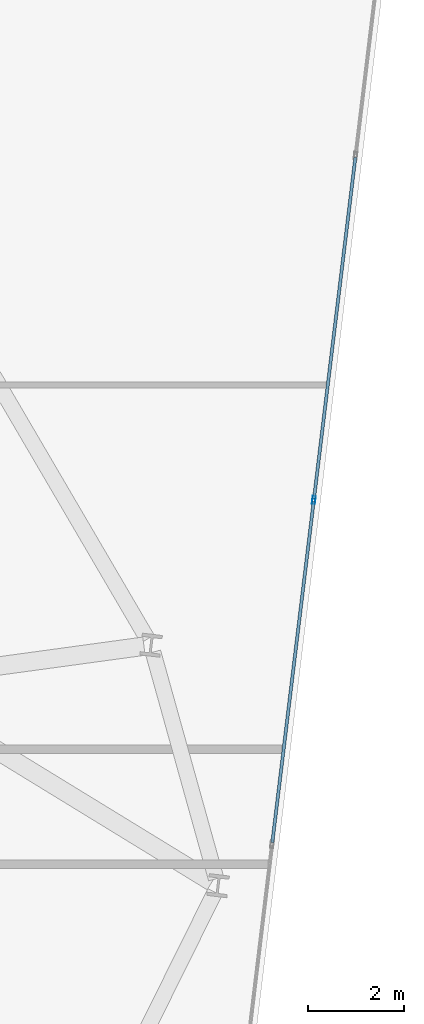
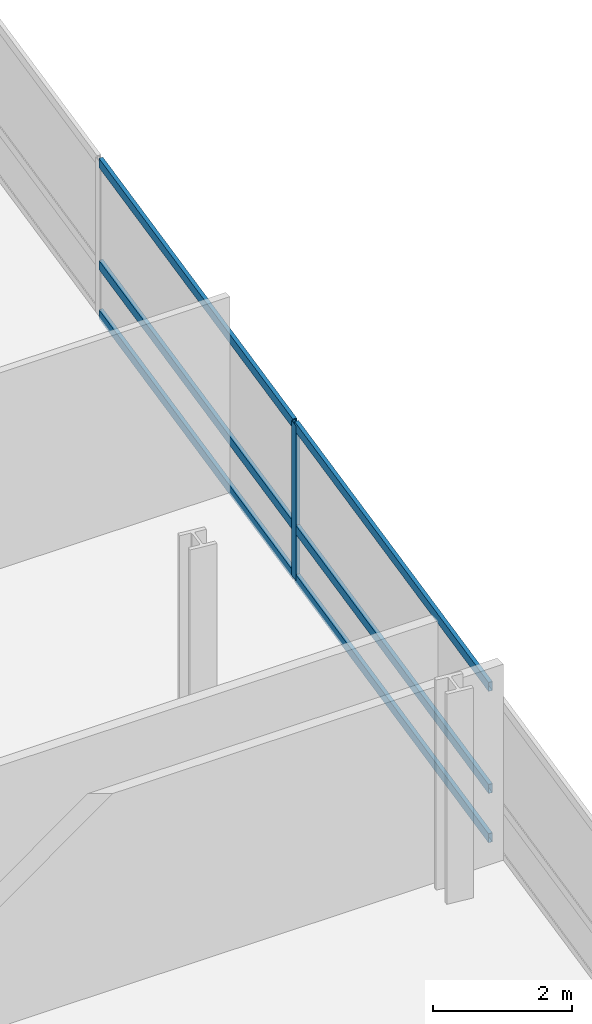
# One storey, part 16 of 26: 7 members, 1 element without a shape of its own.
"""IFC4 building model written with IfcOpenShell, lengths in metres."""

from ifc_helpers import new_model, si_unit, direction, frame, origin, origin_2d, place, context, subcontext, project, spatial, hollow_rectangle, extrude, material, layer, layer_set, material_profile, profile_set, type_object, element, aggregate, save


model = new_model("IFC4")

# Units and contexts
model_context = context("Model", 3, precision=1e-05, world=origin(), true_north=direction((0.0, 1.0)))
body_context = subcontext(model_context, "Body", "Model", "MODEL_VIEW")
ifc_project = project(units=[si_unit("LENGTHUNIT", "METRE"), si_unit("AREAUNIT", "SQUARE_METRE"), si_unit("VOLUMEUNIT", "CUBIC_METRE"), si_unit("PLANEANGLEUNIT", "RADIAN"), si_unit("MASSUNIT", "GRAM", prefix="KILO")], contexts=[model_context])

# Site, building, storey
site_placement = place(None, origin())
site = spatial("IfcSite", under=ifc_project, at=site_placement, CompositionType="ELEMENT")
building_placement = place(site_placement, origin())
building = spatial("IfcBuilding", under=site, at=building_placement, Name="Varnelok Gate Tower", CompositionType="ELEMENT")
storey_placement = place(building_placement, frame((0.0, 0.0, 143.89990234375)))
storey = spatial("IfcBuildingStorey", under=building, at=storey_placement, Name="L36", CompositionType="ELEMENT", Elevation=143.89990234375)

# Curtain wall, members
ifc_material = material(Name="Anodized Aluminum Alloy 6063-T6", Category="aluminium")
ifc_layer = layer(ifc_material, 0.179931640625)
ifc_layer_set = layer_set([ifc_layer], Name="Anodized Aluminum Alloy 6063-T6")
curtain_wall_type = type_object("IfcCurtainWallType", Name="CW3-HOTEL-VISION", PredefinedType="USERDEFINED", material=ifc_layer_set)
curtain_wall_placement = place(storey_placement, origin())
curtain_wall = element("IfcCurtainWall", 1, at=curtain_wall_placement, inside=storey, type_object=curtain_wall_type, Name="L36 East End Vision Curtain Wall", ObjectType="UNITISED CURTAIN WALL", PredefinedType="USERDEFINED")
ifc_material_profile_1 = material_profile(ifc_material, hollow_rectangle(XDim=0.06494140625, YDim=0.159912109375, WallThickness=0.00390625, at=origin_2d()), Name="ALU160X65X4")
ifc_profile_set_1 = profile_set([ifc_material_profile_1], Name="Anodized Aluminum Alloy 6063-T6")
member_type_1 = type_object("IfcMemberType", Name="CW-MULL-160", PredefinedType="MULLION", material=ifc_profile_set_1)
member_1_placement = place(storey_placement, frame((76.423828125, 24.413818359375, 0.0), z_axis=(0.0, 0.0, 1.0), x_axis=(0.99273188146, -0.120347046212, 0.0)))
member_1 = element("IfcMember", 2, at=member_1_placement, type_object=member_type_1, Name="CW3 mullion 3", PredefinedType="MULLION", context=body_context, shape_type="SweptSolid", body=[
    extrude(hollow_rectangle(XDim=0.06494140625, YDim=0.159912109375, WallThickness=0.00390625, at=origin_2d()), origin(), (0.0, 0.0, 1.0), 2.72998046875),
])
ifc_material_profile_2 = material_profile(ifc_material, hollow_rectangle(XDim=0.06494140625, YDim=0.159912109375, WallThickness=0.00390625, at=origin_2d()), Name="ALU160X65X4")
ifc_profile_set_2 = profile_set([ifc_material_profile_2], Name="Anodized Aluminum Alloy 6063-T6")
member_type_2 = type_object("IfcMemberType", Name="CW-TRAN-160", PredefinedType="USERDEFINED", material=ifc_profile_set_2)
member_2_placement = place(storey_placement, frame((77.286376953125, 31.529296875, 0.03271484375), z_axis=(-0.120340564253, -0.992732667235, 0.0), x_axis=(0.992732667235, -0.120340564253, 0.0)))
member_2 = element("IfcMember", 3, at=member_2_placement, type_object=member_type_2, Name="CW3 transom 2.1", ObjectType="TRANSOM", PredefinedType="USERDEFINED", context=body_context, shape_type="SweptSolid", body=[
    extrude(hollow_rectangle(XDim=0.06494140625, YDim=0.159912109375, WallThickness=0.00390625, at=origin_2d()), origin(), (0.0, 0.0, 1.0), 7.135009765625),
])
member_3_placement = place(storey_placement, frame((77.286376953125, 31.529296875, 0.900146484375), z_axis=(-0.120340564253, -0.992732667235, 0.0), x_axis=(0.992732667235, -0.120340564253, 0.0)))
member_3 = element("IfcMember", 4, at=member_3_placement, type_object=member_type_2, Name="CW3 transom 2.2", ObjectType="TRANSOM", PredefinedType="USERDEFINED", context=body_context, shape_type="SweptSolid", body=[
    extrude(hollow_rectangle(XDim=0.06494140625, YDim=0.159912109375, WallThickness=0.00390625, at=origin_2d()), origin(), (0.0, 0.0, 1.0), 7.135009765625),
])
member_4_placement = place(storey_placement, frame((77.286376953125, 31.529296875, 2.697509765625), z_axis=(-0.120340564253, -0.992732667235, 0.0), x_axis=(0.992732667235, -0.120340564253, 0.0)))
member_4 = element("IfcMember", 5, at=member_4_placement, type_object=member_type_2, Name="CW3 transom 2.3", ObjectType="TRANSOM", PredefinedType="USERDEFINED", context=body_context, shape_type="SweptSolid", body=[
    extrude(hollow_rectangle(XDim=0.06494140625, YDim=0.159912109375, WallThickness=0.00390625, at=origin_2d()), origin(), (0.0, 0.0, 1.0), 7.135009765625),
])
member_5_placement = place(storey_placement, frame((76.419921875, 24.381591796875, 0.03271484375), z_axis=(-0.120340564253, -0.992732667235, 0.0), x_axis=(0.992732667235, -0.120340564253, 0.0)))
member_5 = element("IfcMember", 6, at=member_5_placement, type_object=member_type_2, Name="CW3 transom 3.1", ObjectType="TRANSOM", PredefinedType="USERDEFINED", context=body_context, shape_type="SweptSolid", body=[
    extrude(hollow_rectangle(XDim=0.06494140625, YDim=0.159912109375, WallThickness=0.00390625, at=origin_2d()), origin(), (0.0, 0.0, 1.0), 7.135009765625),
])
member_6_placement = place(storey_placement, frame((76.419921875, 24.381591796875, 0.900146484375), z_axis=(-0.120340564253, -0.992732667235, 0.0), x_axis=(0.992732667235, -0.120340564253, 0.0)))
member_6 = element("IfcMember", 7, at=member_6_placement, type_object=member_type_2, Name="CW3 transom 3.2", ObjectType="TRANSOM", PredefinedType="USERDEFINED", context=body_context, shape_type="SweptSolid", body=[
    extrude(hollow_rectangle(XDim=0.06494140625, YDim=0.159912109375, WallThickness=0.00390625, at=origin_2d()), origin(), (0.0, 0.0, 1.0), 7.135009765625),
])
member_7_placement = place(storey_placement, frame((76.419921875, 24.381591796875, 2.697509765625), z_axis=(-0.120340564253, -0.992732667235, 0.0), x_axis=(0.992732667235, -0.120340564253, 0.0)))
member_7 = element("IfcMember", 8, at=member_7_placement, type_object=member_type_2, Name="CW3 transom 3.3", ObjectType="TRANSOM", PredefinedType="USERDEFINED", context=body_context, shape_type="SweptSolid", body=[
    extrude(hollow_rectangle(XDim=0.06494140625, YDim=0.159912109375, WallThickness=0.00390625, at=origin_2d()), origin(), (0.0, 0.0, 1.0), 7.135009765625),
])
aggregate(curtain_wall, [member_1, member_2, member_3, member_4, member_5, member_6, member_7])

save(model, "model.ifc")
